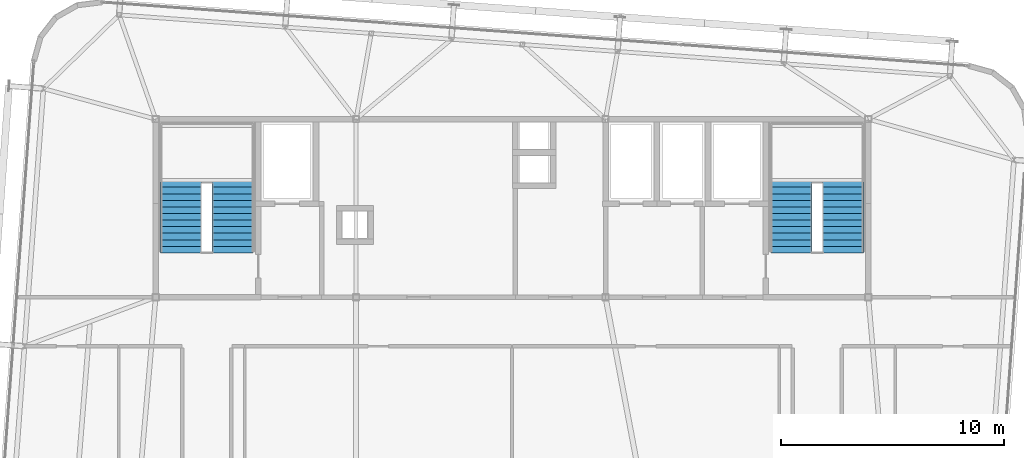
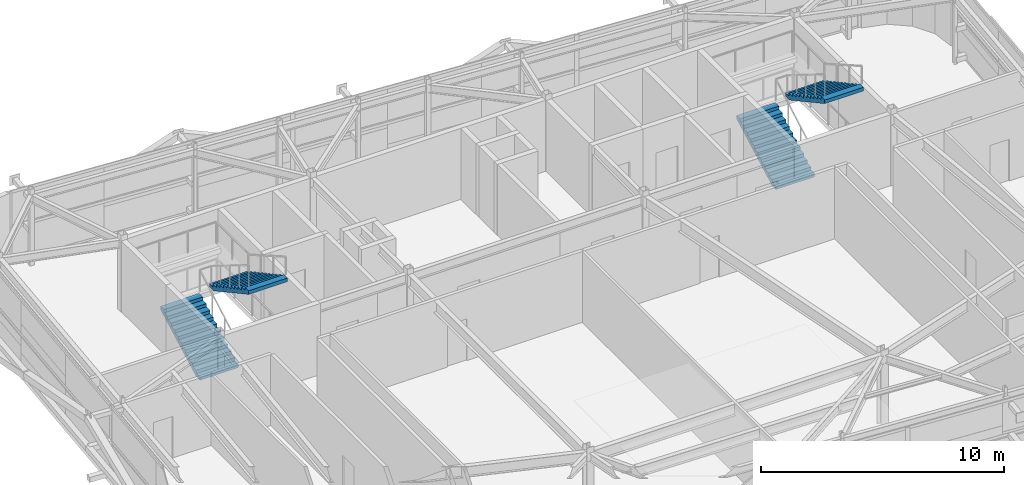
# One storey, part 33 of 35: 4 stair flights, 2 elements without a shape of their own.
"""IFC4 building model written with IfcOpenShell, lengths in metres."""

from ifc_helpers import new_model, si_unit, direction, frame, origin, place, context, subcontext, project, spatial, polyline, outline, extrude, material, type_object, element, aggregate, save


model = new_model("IFC4")

# Units and contexts
model_context = context("Model", 3, precision=1e-05, world=origin(), true_north=direction((0.0, 1.0)))
body_context = subcontext(model_context, "Body", "Model", "MODEL_VIEW")
ifc_project = project(units=[si_unit("LENGTHUNIT", "METRE"), si_unit("AREAUNIT", "SQUARE_METRE"), si_unit("VOLUMEUNIT", "CUBIC_METRE"), si_unit("PLANEANGLEUNIT", "RADIAN"), si_unit("MASSUNIT", "GRAM", prefix="KILO")], contexts=[model_context])

# Site, building, storey
site_placement = place(None, origin())
site = spatial("IfcSite", under=ifc_project, at=site_placement, CompositionType="ELEMENT")
building_placement = place(site_placement, origin())
building = spatial("IfcBuilding", under=site, at=building_placement, Name="Taldren Reach Tower", CompositionType="ELEMENT")
storey_placement = place(building_placement, frame((0.0, 0.0, 249.199951171875)))
storey = spatial("IfcBuildingStorey", under=building, at=storey_placement, Name="L76", CompositionType="ELEMENT", Elevation=249.199951171875)

# Stair, stair flights
ifc_material = material(Name="Concrete S50 (50 MPa)", Category="concrete")
stair_type = type_object("IfcStairType", Name="ST-HT-385", PredefinedType="HALF_TURN_STAIR", material=ifc_material)
stair_1_placement = place(storey_placement, origin())
stair_1 = element("IfcStair", 1, at=stair_1_placement, inside=storey, type_object=stair_type, Name="Fire-isolated exit stair ST1 L76", PredefinedType="HALF_TURN_STAIR")
stair_flight_type = type_object("IfcStairFlightType", Name="SF-STR-385", PredefinedType="STRAIGHT", material=ifc_material)
stair_flight_1_placement = place(storey_placement, frame((20.139892578125, 25.989990234375, 0.0), z_axis=(0.0, 0.0, 1.0), x_axis=(0.0, 1.0, 0.0)))
stair_flight_1 = element("IfcStairFlight", 2, at=stair_flight_1_placement, type_object=stair_flight_type, Name="ST1 flight 1", NumberOfRisers=12, NumberOfTreads=11, PredefinedType="STRAIGHT", RiserHeight=0.160417, TreadLength=0.295, context=body_context, shape_type="SweptSolid", body=[
    extrude(outline(polyline([(0.0, 0.0), (0.0, 0.160400390625), (0.294921875, 0.160400390625), (0.294921875, 0.32080078125), (0.590087890625, 0.32080078125), (0.590087890625, 0.481201171875), (0.885009765625, 0.481201171875), (0.885009765625, 0.6416015625), (1.179931640625, 0.6416015625), (1.179931640625, 0.802001953125), (1.47509765625, 0.802001953125), (1.47509765625, 0.96240234375), (1.77001953125, 0.96240234375), (1.77001953125, 1.122802734375), (2.06494140625, 1.122802734375), (2.06494140625, 1.283447265625), (2.360107421875, 1.283447265625), (2.360107421875, 1.44384765625), (2.655029296875, 1.44384765625), (2.655029296875, 1.604248046875), (2.949951171875, 1.604248046875), (2.949951171875, 1.7646484375), (3.2451171875, 1.7646484375), (3.2451171875, 1.925048828125), (3.2451171875, 1.58251953125), (0.334716796875, 0.0), (0.0, 0.0)])), frame((0.0, 0.919921875, 0.0), z_axis=(0.0, -1.0, 0.0), x_axis=(1.0, 0.0, 0.0)), (0.0, 0.0, 1.0), 1.840087890625),
])
stair_flight_2_placement = place(storey_placement, frame((22.4599609375, 29.235107421875, 1.925048828125), z_axis=(0.0, 0.0, 1.0), x_axis=(0.0, -1.0, 0.0)))
stair_flight_2 = element("IfcStairFlight", 3, at=stair_flight_2_placement, type_object=stair_flight_type, Name="ST1 flight 2", NumberOfRisers=12, NumberOfTreads=11, PredefinedType="STRAIGHT", RiserHeight=0.160417, TreadLength=0.295, context=body_context, shape_type="SweptSolid", body=[
    extrude(outline(polyline([(0.0, 0.0), (0.0, 0.160400390625), (0.294921875, 0.160400390625), (0.294921875, 0.32080078125), (0.590087890625, 0.32080078125), (0.590087890625, 0.481201171875), (0.885009765625, 0.481201171875), (0.885009765625, 0.6416015625), (1.179931640625, 0.6416015625), (1.179931640625, 0.802001953125), (1.47509765625, 0.802001953125), (1.47509765625, 0.96240234375), (1.77001953125, 0.96240234375), (1.77001953125, 1.122802734375), (2.06494140625, 1.122802734375), (2.06494140625, 1.283447265625), (2.360107421875, 1.283447265625), (2.360107421875, 1.44384765625), (2.655029296875, 1.44384765625), (2.655029296875, 1.604248046875), (2.949951171875, 1.604248046875), (2.949951171875, 1.7646484375), (3.2451171875, 1.7646484375), (3.2451171875, 1.925048828125), (3.2451171875, 1.58251953125), (0.334716796875, 0.0), (0.0, 0.0)])), frame((0.0, 0.919921875, 0.0), z_axis=(0.0, -1.0, 0.0), x_axis=(1.0, 0.0, 0.0)), (0.0, 0.0, 1.0), 1.840087890625),
])
aggregate(stair_1, [stair_flight_1, stair_flight_2])

stair_2_placement = place(storey_placement, origin())
stair_2 = element("IfcStair", 4, at=stair_2_placement, inside=storey, type_object=stair_type, Name="Fire-isolated exit stair ST2 L76", PredefinedType="HALF_TURN_STAIR")
stair_flight_3_placement = place(storey_placement, frame((47.5400390625, 25.989990234375, 0.0), z_axis=(0.0, 0.0, 1.0), x_axis=(0.0, 1.0, 0.0)))
stair_flight_3 = element("IfcStairFlight", 5, at=stair_flight_3_placement, type_object=stair_flight_type, Name="ST2 flight 1", NumberOfRisers=12, NumberOfTreads=11, PredefinedType="STRAIGHT", RiserHeight=0.160417, TreadLength=0.295, context=body_context, shape_type="SweptSolid", body=[
    extrude(outline(polyline([(0.0, 0.0), (0.0, 0.160400390625), (0.294921875, 0.160400390625), (0.294921875, 0.32080078125), (0.590087890625, 0.32080078125), (0.590087890625, 0.481201171875), (0.885009765625, 0.481201171875), (0.885009765625, 0.6416015625), (1.179931640625, 0.6416015625), (1.179931640625, 0.802001953125), (1.47509765625, 0.802001953125), (1.47509765625, 0.96240234375), (1.77001953125, 0.96240234375), (1.77001953125, 1.122802734375), (2.06494140625, 1.122802734375), (2.06494140625, 1.283447265625), (2.360107421875, 1.283447265625), (2.360107421875, 1.44384765625), (2.655029296875, 1.44384765625), (2.655029296875, 1.604248046875), (2.949951171875, 1.604248046875), (2.949951171875, 1.7646484375), (3.2451171875, 1.7646484375), (3.2451171875, 1.925048828125), (3.2451171875, 1.58251953125), (0.334716796875, 0.0), (0.0, 0.0)])), frame((0.0, 0.919921875, 0.0), z_axis=(0.0, -1.0, 0.0), x_axis=(1.0, 0.0, 0.0)), (0.0, 0.0, 1.0), 1.840087890625),
])
stair_flight_4_placement = place(storey_placement, frame((49.860107421875, 29.235107421875, 1.925048828125), z_axis=(0.0, 0.0, 1.0), x_axis=(0.0, -1.0, 0.0)))
stair_flight_4 = element("IfcStairFlight", 6, at=stair_flight_4_placement, type_object=stair_flight_type, Name="ST2 flight 2", NumberOfRisers=12, NumberOfTreads=11, PredefinedType="STRAIGHT", RiserHeight=0.160417, TreadLength=0.295, context=body_context, shape_type="SweptSolid", body=[
    extrude(outline(polyline([(0.0, 0.0), (0.0, 0.160400390625), (0.294921875, 0.160400390625), (0.294921875, 0.32080078125), (0.590087890625, 0.32080078125), (0.590087890625, 0.481201171875), (0.885009765625, 0.481201171875), (0.885009765625, 0.6416015625), (1.179931640625, 0.6416015625), (1.179931640625, 0.802001953125), (1.47509765625, 0.802001953125), (1.47509765625, 0.96240234375), (1.77001953125, 0.96240234375), (1.77001953125, 1.122802734375), (2.06494140625, 1.122802734375), (2.06494140625, 1.283447265625), (2.360107421875, 1.283447265625), (2.360107421875, 1.44384765625), (2.655029296875, 1.44384765625), (2.655029296875, 1.604248046875), (2.949951171875, 1.604248046875), (2.949951171875, 1.7646484375), (3.2451171875, 1.7646484375), (3.2451171875, 1.925048828125), (3.2451171875, 1.58251953125), (0.334716796875, 0.0), (0.0, 0.0)])), frame((0.0, 0.919921875, 0.0), z_axis=(0.0, -1.0, 0.0), x_axis=(1.0, 0.0, 0.0)), (0.0, 0.0, 1.0), 1.840087890625),
])
aggregate(stair_2, [stair_flight_3, stair_flight_4])

save(model, "model.ifc")
